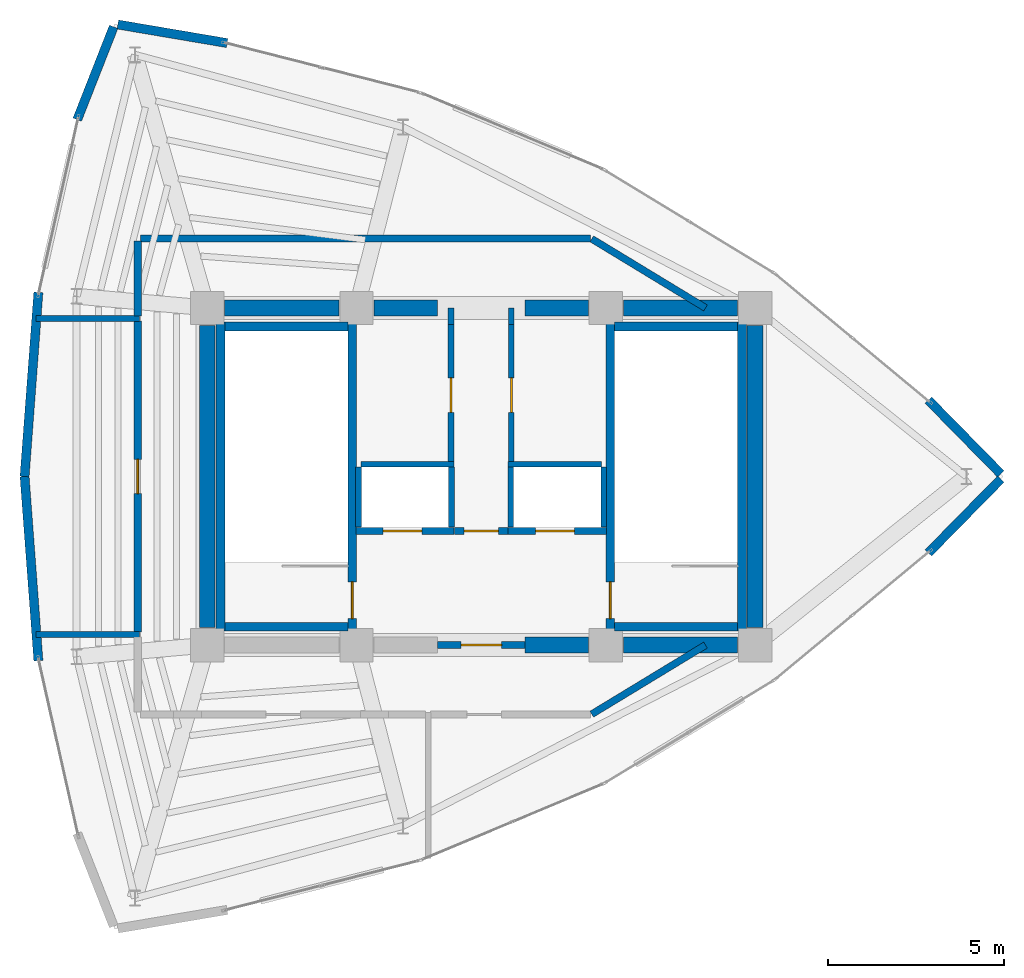
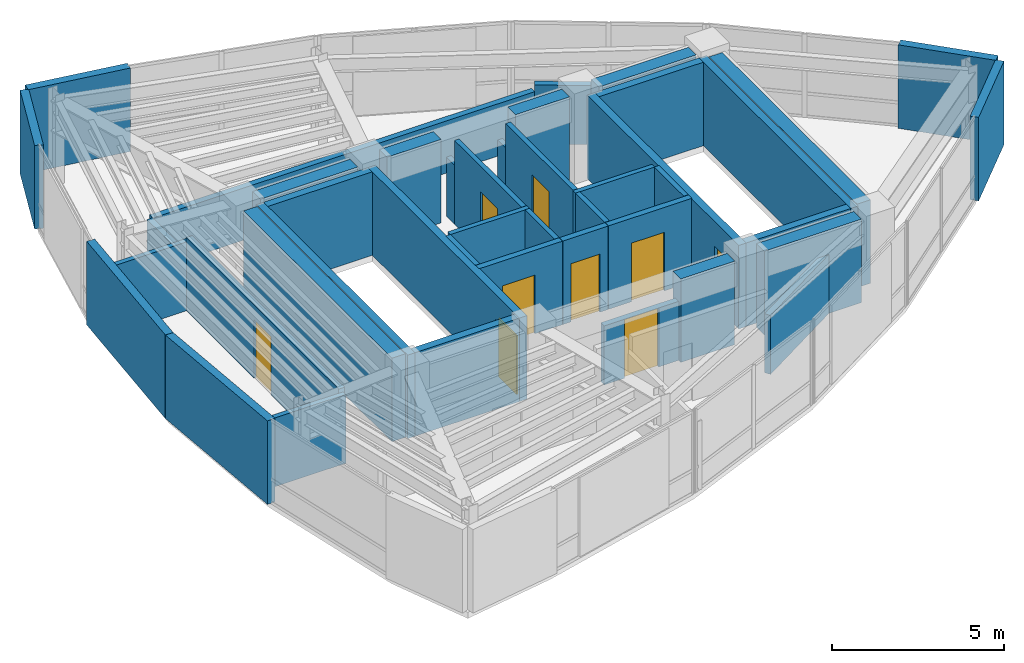
# One storey, part 12 of 13: 43 walls, 9 doors, 9 openings.
"""IFC4 building model written with IfcOpenShell, lengths in metres."""

from ifc_helpers import new_model, si_unit, direction, frame, frame_2d, origin, place, context, subcontext, project, spatial, rectangle, extrude, material, layer, layer_set, type_object, element, fill, save


model = new_model("IFC4")

# Units and contexts
model_context = context("Model", 3, precision=1e-05, world=origin(), true_north=direction((0.0, 1.0)))
body_context = subcontext(model_context, "Body", "Model", "MODEL_VIEW")
ifc_project = project(units=[si_unit("LENGTHUNIT", "METRE"), si_unit("AREAUNIT", "SQUARE_METRE"), si_unit("VOLUMEUNIT", "CUBIC_METRE"), si_unit("PLANEANGLEUNIT", "RADIAN"), si_unit("MASSUNIT", "GRAM", prefix="KILO")], contexts=[model_context])

# Site, building, storey
site_placement = place(None, origin())
site = spatial("IfcSite", under=ifc_project, at=site_placement, CompositionType="ELEMENT")
building_placement = place(site_placement, origin())
building = spatial("IfcBuilding", under=site, at=building_placement, Name="Menara Vayukalpa", CompositionType="ELEMENT")
storey_placement = place(building_placement, frame((0.0, 0.0, 315.219970703125)))
storey = spatial("IfcBuildingStorey", under=building, at=storey_placement, Name="L81", CompositionType="ELEMENT", Elevation=315.219970703125)

# Walls
ifc_material_1 = material(Name="Concrete C50/60", Category="concrete")
ifc_layer_1 = layer(ifc_material_1, 0.449951171875)
ifc_layer_set_1 = layer_set([ifc_layer_1], Name="Concrete C50/60")
wall_type_1 = type_object("IfcWallType", Name="WAL-CW450", PredefinedType="SHEAR", material=ifc_layer_set_1)
wall_1_placement = place(storey_placement, frame((26.85009765625, 17.199951171875, 0.0), z_axis=(0.0, 0.0, 1.0), x_axis=(1.0, 0.0, 0.0)))
element("IfcWall", 1, at=wall_1_placement, inside=storey, type_object=wall_type_1, Name="L81 Buttressed Core Shear Wall CWS3", PredefinedType="SHEAR", context=body_context, shape_type="SweptSolid", body=[
    extrude(rectangle(XDim=1.804931640625, YDim=0.449951171875, at=frame_2d((0.90234375, 0.0))), origin(), (0.0, 0.0, 1.0), 2.9599609375),
])
for number, where, z_axis, x_axis, name in (
    (2, (29.64501953125, 17.199951171875, 0.0), (0.0, 0.0, 1.0), (1.0, 0.0, 0.0), "L81 Buttressed Core Shear Wall CWS4"),
    (3, (18.294921875, 26.800048828125, 0.0), (0.0, 0.0, 1.0), (1.0, 0.0, 0.0), "L81 Buttressed Core Shear Wall CWN1"),
):
    element("IfcWall", number, at=place(storey_placement, frame(where, z_axis=z_axis, x_axis=x_axis)), inside=storey, type_object=wall_type_1, Name=name, PredefinedType="SHEAR", context=body_context, shape_type="SweptSolid", body=[
        extrude(rectangle(XDim=3.260009765625, YDim=0.449951171875, at=frame_2d((1.6298828125, 0.0))), origin(), (0.0, 0.0, 1.0), 2.9599609375),
    ])
wall_2_placement = place(storey_placement, frame((22.544921875, 26.800048828125, 0.0), z_axis=(0.0, 0.0, 1.0), x_axis=(1.0, 0.0, 0.0)))
element("IfcWall", 4, at=wall_2_placement, inside=storey, type_object=wall_type_1, Name="L81 Buttressed Core Shear Wall CWN2", PredefinedType="SHEAR", context=body_context, shape_type="SweptSolid", body=[
    extrude(rectangle(XDim=1.80517578125, YDim=0.449951171875, at=frame_2d((0.902587890625, 0.0))), origin(), (0.0, 0.0, 1.0), 2.9599609375),
])
wall_3_placement = place(storey_placement, frame((26.85009765625, 26.800048828125, 0.0), z_axis=(0.0, 0.0, 1.0), x_axis=(1.0, 0.0, 0.0)))
element("IfcWall", 5, at=wall_3_placement, inside=storey, type_object=wall_type_1, Name="L81 Buttressed Core Shear Wall CWN3", PredefinedType="SHEAR", context=body_context, shape_type="SweptSolid", body=[
    extrude(rectangle(XDim=1.804931640625, YDim=0.449951171875, at=frame_2d((0.90234375, 0.0))), origin(), (0.0, 0.0, 1.0), 2.9599609375),
])
wall_4_placement = place(storey_placement, frame((29.64501953125, 26.800048828125, 0.0), z_axis=(0.0, 0.0, 1.0), x_axis=(1.0, 0.0, 0.0)))
element("IfcWall", 6, at=wall_4_placement, inside=storey, type_object=wall_type_1, Name="L81 Buttressed Core Shear Wall CWN4", PredefinedType="SHEAR", context=body_context, shape_type="SweptSolid", body=[
    extrude(rectangle(XDim=3.260009765625, YDim=0.449951171875, at=frame_2d((1.6298828125, 0.0))), origin(), (0.0, 0.0, 1.0), 2.9599609375),
])
for number, where, z_axis, x_axis, name in (
    (7, (17.800048828125, 17.695068359375, 0.0), (0.0, 0.0, 1.0), (0.0, 1.0, 0.0), "L81 Buttressed Core Shear Wall CWW1"),
    (8, (33.39990234375, 17.695068359375, 0.0), (0.0, 0.0, 1.0), (0.0, 1.0, 0.0), "L81 Buttressed Core Shear Wall CWE1"),
):
    element("IfcWall", number, at=place(storey_placement, frame(where, z_axis=z_axis, x_axis=x_axis)), inside=storey, type_object=wall_type_1, Name=name, PredefinedType="SHEAR", context=body_context, shape_type="SweptSolid", body=[
        extrude(rectangle(XDim=8.60986328125, YDim=0.449951171875, at=frame_2d((4.304931640625, 0.0))), origin(), (0.0, 0.0, 1.0), 2.9599609375),
    ])
ifc_material_2 = material(Name="Insulated Precast Concrete C40/50", Category="concrete")
ifc_layer_2 = layer(ifc_material_2, 0.260009765625)
ifc_layer_set_2 = layer_set([ifc_layer_2], Name="Insulated Precast Concrete C40/50")
wall_type_2 = type_object("IfcWallType", Name="WAL-EXT260", PredefinedType="PARTITIONING", material=ifc_layer_set_2)
for number, where, z_axis, x_axis, name in (
    (9, (40.394287109375, 21.923828125, 0.0), (0.0, 0.0, 1.0), (-0.700603142499, -0.713551145133, 0.0), "L81 Perimeter Terracotta Pier Wall 01"),
    (10, (38.33349609375, 24.175048828125, 0.0), (0.0, 0.0, 1.0), (0.700603142499, -0.713551145133, 0.0), "L81 Perimeter Terracotta Pier Wall 02"),
):
    element("IfcWall", number, at=place(storey_placement, frame(where, z_axis=z_axis, x_axis=x_axis)), inside=storey, type_object=wall_type_2, Name=name, PredefinedType="PARTITIONING", context=body_context, shape_type="SweptSolid", body=[
        extrude(rectangle(XDim=2.94140625, YDim=0.260009765625, at=frame_2d((1.470703125, 0.0))), origin(), (0.0, 0.0, 1.0), 2.9599609375),
    ])
wall_5_placement = place(storey_placement, frame((15.251708984375, 34.87158203125, 0.0), z_axis=(0.0, 0.0, 1.0), x_axis=(0.985905089134, -0.167305574383, 0.0)))
element("IfcWall", 11, at=wall_5_placement, inside=storey, type_object=wall_type_2, Name="L81 Perimeter Terracotta Pier Wall 07", PredefinedType="PARTITIONING", context=body_context, shape_type="SweptSolid", body=[
    extrude(rectangle(XDim=3.1591796875, YDim=0.260009765625, at=frame_2d((1.57958984375, 0.0))), origin(), (0.0, 0.0, 1.0), 2.9599609375),
])
wall_6_placement = place(storey_placement, frame((14.09619140625, 32.1630859375, 0.0), z_axis=(0.0, 0.0, 1.0), x_axis=(0.365495346637, 0.930813166853, 0.0)))
element("IfcWall", 12, at=wall_6_placement, inside=storey, type_object=wall_type_2, Name="L81 Perimeter Terracotta Pier Wall 08", PredefinedType="PARTITIONING", context=body_context, shape_type="SweptSolid", body=[
    extrude(rectangle(XDim=2.838134765625, YDim=0.260009765625, at=frame_2d((1.4189453125, 0.0))), origin(), (0.0, 0.0, 1.0), 2.9599609375),
])
for number, where, z_axis, x_axis, name in (
    (13, (12.596435546875, 22.0, 0.0), (0.0, 0.0, 1.0), (0.074768012725, 0.99720095481, 0.0), "L81 Perimeter Terracotta Pier Wall 10"),
    (14, (12.989501953125, 16.757568359375, 0.0), (0.0, 0.0, 1.0), (-0.074768012725, 0.99720095481, 0.0), "L81 Perimeter Terracotta Pier Wall 11"),
):
    element("IfcWall", number, at=place(storey_placement, frame(where, z_axis=z_axis, x_axis=x_axis)), inside=storey, type_object=wall_type_2, Name=name, PredefinedType="PARTITIONING", context=body_context, shape_type="SweptSolid", body=[
        extrude(rectangle(XDim=5.257080078125, YDim=0.260009765625, at=frame_2d((2.62841796875, 0.0))), origin(), (0.0, 0.0, 1.0), 2.9599609375),
    ])
ifc_material_3 = material(Name="Lightweight Concrete Blockwork C16/20", Category="masonry")
ifc_layer_3 = layer(ifc_material_3, 0.159912109375)
ifc_layer_set_3 = layer_set([ifc_layer_3], Name="Lightweight Concrete Blockwork C16/20")
wall_type_3 = type_object("IfcWallType", Name="WAL-FR150", PredefinedType="PARTITIONING", material=ifc_layer_set_3)
for number, where, z_axis, x_axis, name in (
    (15, (22.10498046875, 20.56005859375, 0.0), (0.0, 0.0, 1.0), (0.0, 1.0, 0.0), "L81 Interior Partition IW-L81-SHW-WW"),
    (16, (24.7548828125, 20.56005859375, 0.0), (0.0, 0.0, 1.0), (0.0, 1.0, 0.0), "L81 Interior Partition IW-L81-SHW-W1E"),
):
    element("IfcWall", number, at=place(storey_placement, frame(where, z_axis=z_axis, x_axis=x_axis)), inside=storey, type_object=wall_type_3, Name=name, PredefinedType="PARTITIONING", context=body_context, shape_type="SweptSolid", body=[
        extrude(rectangle(XDim=1.7099609375, YDim=0.159912109375, at=frame_2d((0.85498046875, 0.0))), origin(), (0.0, 0.0, 1.0), 2.9599609375),
    ])
wall_7_placement = place(storey_placement, frame((22.179931640625, 22.344970703125, 0.0), z_axis=(0.0, 0.0, 1.0), x_axis=(1.0, 0.0, 0.0)))
element("IfcWall", 17, at=wall_7_placement, inside=storey, type_object=wall_type_3, Name="L81 Interior Partition IW-L81-SHM-W12", PredefinedType="PARTITIONING", context=body_context, shape_type="SweptSolid", body=[
    extrude(rectangle(XDim=2.650146484375, YDim=0.159912109375, at=frame_2d((1.3251953125, 0.0))), origin(), (0.0, 0.0, 1.0), 2.9599609375),
])
for number, where, z_axis, x_axis, name in (
    (18, (29.094970703125, 20.56005859375, 0.0), (0.0, 0.0, 1.0), (0.0, 1.0, 0.0), "L81 Interior Partition IW-L81-SHW-EE"),
    (19, (26.445068359375, 20.56005859375, 0.0), (0.0, 0.0, 1.0), (0.0, 1.0, 0.0), "L81 Interior Partition IW-L81-SHW-E1W"),
):
    element("IfcWall", number, at=place(storey_placement, frame(where, z_axis=z_axis, x_axis=x_axis)), inside=storey, type_object=wall_type_3, Name=name, PredefinedType="PARTITIONING", context=body_context, shape_type="SweptSolid", body=[
        extrude(rectangle(XDim=1.7099609375, YDim=0.159912109375, at=frame_2d((0.85498046875, 0.0))), origin(), (0.0, 0.0, 1.0), 2.9599609375),
    ])
wall_8_placement = place(storey_placement, frame((26.3701171875, 22.344970703125, 0.0), z_axis=(0.0, 0.0, 1.0), x_axis=(1.0, 0.0, 0.0)))
element("IfcWall", 20, at=wall_8_placement, inside=storey, type_object=wall_type_3, Name="L81 Interior Partition IW-L81-SHM-E13", PredefinedType="PARTITIONING", context=body_context, shape_type="SweptSolid", body=[
    extrude(rectangle(XDim=2.64990234375, YDim=0.159912109375, at=frame_2d((1.324951171875, 0.0))), origin(), (0.0, 0.0, 1.0), 2.9599609375),
])
wall_9_placement = place(storey_placement, frame((24.739990234375, 26.3349609375, 0.0), z_axis=(0.0, 0.0, 1.0), x_axis=(0.0, 1.0, 0.0)))
element("IfcWall", 21, at=wall_9_placement, inside=storey, type_object=wall_type_3, Name="L81 Interior Partition IW-L81-CPL1 Beam Collar 1", PredefinedType="PARTITIONING", context=body_context, shape_type="SweptSolid", body=[
    extrude(rectangle(XDim=0.465087890625, YDim=0.159912109375, at=frame_2d((0.232421875, 0.0))), origin(), (0.0, 0.0, 1.0), 2.090087890625),
])

# Wall, opening, door
wall_10_placement = place(storey_placement, frame((24.739990234375, 22.429931640625, 0.0), z_axis=(0.0, 0.0, 1.0), x_axis=(0.0, 1.0, 0.0)))
wall_10 = element("IfcWall", 22, at=wall_10_placement, inside=storey, type_object=wall_type_3, Name="L81 Interior Partition IW-L81-CPL1", PredefinedType="PARTITIONING", context=body_context, shape_type="SweptSolid", body=[
    extrude(rectangle(XDim=3.905029296875, YDim=0.159912109375, at=frame_2d((1.95263671875, 0.0))), origin(), (0.0, 0.0, 1.0), 2.9599609375),
])
opening_1_placement = place(wall_10_placement, frame((1.39990234375, 0.0, 0.0)))
opening_1 = element("IfcOpeningElement", 23, at=opening_1_placement, cuts=wall_10, Name="Opening ID3", PredefinedType="OPENING", context=body_context, shape_type="SweptSolid", body=[
    extrude(rectangle(XDim=0.97998046875, YDim=2.06005859375, at=frame_2d((0.489990234375, 1.030029296875))), frame((0.0, 0.08984375, 0.0), z_axis=(0.0, -1.0, 0.0), x_axis=(1.0, 0.0, 0.0)), (0.0, 0.0, 1.0), 0.179931640625),
])
ifc_material_4 = material(Name="Fire-Rated Powder-Coated Steel Door", Category="steel")
door_type_1 = type_object("IfcDoorType", Name="DR-FD60", OperationType="NOTDEFINED", PredefinedType="DOOR", material=ifc_material_4)
door_1_placement = place(opening_1_placement, origin())
door_1 = element("IfcDoor", 24, at=door_1_placement, inside=storey, type_object=door_type_1, Name="L81 Interior Door DR-L81-CPL1", OperationType="SINGLE_SWING_LEFT", OverallHeight=2.06005859375, OverallWidth=0.97998046875, PredefinedType="DOOR", context=body_context, shape_type="SweptSolid", body=[
    extrude(rectangle(XDim=0.97998046875, YDim=2.06005859375, at=frame_2d((0.489990234375, 1.030029296875))), frame((0.0, 0.02490234375, 0.0), z_axis=(0.0, -1.0, 0.0), x_axis=(1.0, 0.0, 0.0)), (0.0, 0.0, 1.0), 0.050048828125),
])
fill(opening_1, door_1)

# Wall
wall_11_placement = place(storey_placement, frame((26.4599609375, 26.3349609375, 0.0), z_axis=(0.0, 0.0, 1.0), x_axis=(0.0, 1.0, 0.0)))
element("IfcWall", 25, at=wall_11_placement, inside=storey, type_object=wall_type_3, Name="L81 Interior Partition IW-L81-CPL2 Beam Collar 1", PredefinedType="PARTITIONING", context=body_context, shape_type="SweptSolid", body=[
    extrude(rectangle(XDim=0.465087890625, YDim=0.159912109375, at=frame_2d((0.232421875, 0.0))), origin(), (0.0, 0.0, 1.0), 2.090087890625),
])

# Wall, opening, door
wall_12_placement = place(storey_placement, frame((26.4599609375, 22.429931640625, 0.0), z_axis=(0.0, 0.0, 1.0), x_axis=(0.0, 1.0, 0.0)))
wall_12 = element("IfcWall", 26, at=wall_12_placement, inside=storey, type_object=wall_type_3, Name="L81 Interior Partition IW-L81-CPL2", PredefinedType="PARTITIONING", context=body_context, shape_type="SweptSolid", body=[
    extrude(rectangle(XDim=3.905029296875, YDim=0.159912109375, at=frame_2d((1.95263671875, 0.0))), origin(), (0.0, 0.0, 1.0), 2.9599609375),
])
opening_2_placement = place(wall_12_placement, frame((1.39990234375, 0.0, 0.0)))
opening_2 = element("IfcOpeningElement", 27, at=opening_2_placement, cuts=wall_12, Name="Opening ID3", PredefinedType="OPENING", context=body_context, shape_type="SweptSolid", body=[
    extrude(rectangle(XDim=0.97998046875, YDim=2.06005859375, at=frame_2d((0.489990234375, 1.030029296875))), frame((0.0, 0.08984375, 0.0), z_axis=(0.0, -1.0, 0.0), x_axis=(1.0, 0.0, 0.0)), (0.0, 0.0, 1.0), 0.179931640625),
])
door_2_placement = place(opening_2_placement, origin())
door_2 = element("IfcDoor", 28, at=door_2_placement, inside=storey, type_object=door_type_1, Name="L81 Interior Door DR-L81-CPL2", OperationType="SINGLE_SWING_RIGHT", OverallHeight=2.06005859375, OverallWidth=0.97998046875, PredefinedType="DOOR", context=body_context, shape_type="SweptSolid", body=[
    extrude(rectangle(XDim=0.97998046875, YDim=2.06005859375, at=frame_2d((0.489990234375, 1.030029296875))), frame((0.0, 0.02490234375, 0.0), z_axis=(0.0, -1.0, 0.0), x_axis=(1.0, 0.0, 0.0)), (0.0, 0.0, 1.0), 0.050048828125),
])
fill(opening_2, door_2)

# Walls
for number, where, z_axis, x_axis, name in (
    (29, (12.923828125, 17.5, 0.0), (0.0, 0.0, 1.0), (1.0, 0.0, 0.0), "L81 Interior Partition IW-L81-RDIV01"),
    (30, (12.923828125, 26.5, 0.0), (0.0, 0.0, 1.0), (1.0, 0.0, 0.0), "L81 Interior Partition IW-L81-RDIV02"),
):
    element("IfcWall", number, at=place(storey_placement, frame(where, z_axis=z_axis, x_axis=x_axis)), inside=storey, type_object=wall_type_3, Name=name, PredefinedType="PARTITIONING", context=body_context, shape_type="SweptSolid", body=[
        extrude(rectangle(XDim=2.9462890625, YDim=0.159912109375, at=frame_2d((1.47314453125, 0.0))), origin(), (0.0, 0.0, 1.0), 2.43994140625),
    ])

# Wall, opening, door
ifc_material_5 = material(Name="Lightweight Concrete Blockwork C16/20", Category="masonry")
ifc_layer_4 = layer(ifc_material_5, 0.199951171875)
ifc_layer_set_4 = layer_set([ifc_layer_4], Name="Lightweight Concrete Blockwork C16/20")
wall_type_4 = type_object("IfcWallType", Name="WAL-FR200", PredefinedType="PARTITIONING", material=ifc_layer_set_4)
wall_13_placement = place(storey_placement, frame((24.35009765625, 17.199951171875, 0.0), z_axis=(0.0, 0.0, 1.0), x_axis=(1.0, 0.0, 0.0)))
wall_13 = element("IfcWall", 31, at=wall_13_placement, inside=storey, type_object=wall_type_4, Name="L81 Interior Partition IW-L81-FFLS", PredefinedType="PARTITIONING", context=body_context, shape_type="SweptSolid", body=[
    extrude(rectangle(XDim=2.5, YDim=0.199951171875, at=frame_2d((1.25, 0.0))), origin(), (0.0, 0.0, 1.0), 2.090087890625),
])
opening_3_placement = place(wall_13_placement, frame((0.679931640625, 0.0, 0.0)))
opening_3 = element("IfcOpeningElement", 32, at=opening_3_placement, cuts=wall_13, Name="Opening ID2", PredefinedType="OPENING", context=body_context, shape_type="SweptSolid", body=[
    extrude(rectangle(XDim=1.14990234375, YDim=2.080078125, at=frame_2d((0.574951171875, 1.0400390625))), frame((0.0, 0.10986328125, 0.0), z_axis=(0.0, -1.0, 0.0), x_axis=(1.0, 0.0, 0.0)), (0.0, 0.0, 1.0), 0.219970703125),
])
ifc_material_6 = material(Name="Fire-Rated Powder-Coated Steel Door", Category="steel")
door_type_2 = type_object("IfcDoorType", Name="DR-FD60W", OperationType="NOTDEFINED", PredefinedType="DOOR", material=ifc_material_6)
door_3_placement = place(opening_3_placement, origin())
door_3 = element("IfcDoor", 33, at=door_3_placement, inside=storey, type_object=door_type_2, Name="L81 Interior Door DR-L81-FFLS", OperationType="SINGLE_SWING_LEFT", OverallHeight=2.080078125, OverallWidth=1.14990234375, PredefinedType="DOOR", context=body_context, shape_type="SweptSolid", body=[
    extrude(rectangle(XDim=1.14990234375, YDim=2.080078125, at=frame_2d((0.574951171875, 1.0400390625))), frame((0.0, 0.02490234375, 0.0), z_axis=(0.0, -1.0, 0.0), x_axis=(1.0, 0.0, 0.0)), (0.0, 0.0, 1.0), 0.050048828125),
])
fill(opening_3, door_3)

wall_14_placement = place(storey_placement, frame((24.840087890625, 20.449951171875, 0.0), z_axis=(0.0, 0.0, 1.0), x_axis=(1.0, 0.0, 0.0)))
wall_14 = element("IfcWall", 34, at=wall_14_placement, inside=storey, type_object=wall_type_4, Name="L81 Interior Partition IW-L81-FFLN", PredefinedType="PARTITIONING", context=body_context, shape_type="SweptSolid", body=[
    extrude(rectangle(XDim=1.52001953125, YDim=0.199951171875, at=frame_2d((0.760009765625, 0.0))), origin(), (0.0, 0.0, 1.0), 2.9599609375),
])
opening_4_placement = place(wall_14_placement, frame((0.27001953125, 0.0, 0.0)))
opening_4 = element("IfcOpeningElement", 35, at=opening_4_placement, cuts=wall_14, Name="Opening ID3", PredefinedType="OPENING", context=body_context, shape_type="SweptSolid", body=[
    extrude(rectangle(XDim=0.97998046875, YDim=2.06005859375, at=frame_2d((0.489990234375, 1.030029296875))), frame((0.0, 0.10986328125, 0.0), z_axis=(0.0, -1.0, 0.0), x_axis=(1.0, 0.0, 0.0)), (0.0, 0.0, 1.0), 0.219970703125),
])
door_4_placement = place(opening_4_placement, origin())
door_4 = element("IfcDoor", 36, at=door_4_placement, inside=storey, type_object=door_type_1, Name="L81 Interior Door DR-L81-FFLN", OperationType="SINGLE_SWING_RIGHT", OverallHeight=2.06005859375, OverallWidth=0.97998046875, PredefinedType="DOOR", context=body_context, shape_type="SweptSolid", body=[
    extrude(rectangle(XDim=0.97998046875, YDim=2.06005859375, at=frame_2d((0.489990234375, 1.030029296875))), frame((0.0, 0.02490234375, 0.0), z_axis=(0.0, -1.0, 0.0), x_axis=(1.0, 0.0, 0.0)), (0.0, 0.0, 1.0), 0.050048828125),
])
fill(opening_4, door_4)

wall_15_placement = place(storey_placement, frame((22.030029296875, 20.449951171875, 0.0), z_axis=(0.0, 0.0, 1.0), x_axis=(1.0, 0.0, 0.0)))
wall_15 = element("IfcWall", 37, at=wall_15_placement, inside=storey, type_object=wall_type_4, Name="L81 Interior Partition IW-L81-SH-W1", PredefinedType="PARTITIONING", context=body_context, shape_type="SweptSolid", body=[
    extrude(rectangle(XDim=2.800048828125, YDim=0.199951171875, at=frame_2d((1.39990234375, 0.0))), origin(), (0.0, 0.0, 1.0), 2.9599609375),
])
opening_5_placement = place(wall_15_placement, frame((0.780029296875, 0.0, 0.0)))
opening_5 = element("IfcOpeningElement", 38, at=opening_5_placement, cuts=wall_15, Name="Opening LD1", PredefinedType="OPENING", context=body_context, shape_type="SweptSolid", body=[
    extrude(rectangle(XDim=1.10009765625, YDim=2.080078125, at=frame_2d((0.550048828125, 1.0400390625))), frame((0.0, 0.10986328125, 0.0), z_axis=(0.0, -1.0, 0.0), x_axis=(1.0, 0.0, 0.0)), (0.0, 0.0, 1.0), 0.219970703125),
])
ifc_material_7 = material(Name="Brushed Stainless Steel 316 Lift Door", Category="steel")
door_type_3 = type_object("IfcDoorType", Name="DR-LD110", OperationType="NOTDEFINED", PredefinedType="DOOR", material=ifc_material_7)
door_5_placement = place(opening_5_placement, origin())
door_5 = element("IfcDoor", 39, at=door_5_placement, inside=storey, type_object=door_type_3, Name="L81 Interior Door DR-L81-LD-W1", OperationType="DOUBLE_DOOR_SLIDING", OverallHeight=2.080078125, OverallWidth=1.10009765625, PredefinedType="DOOR", context=body_context, shape_type="SweptSolid", body=[
    extrude(rectangle(XDim=1.10009765625, YDim=2.080078125, at=frame_2d((0.550048828125, 1.0400390625))), frame((0.0, 0.02490234375, 0.0), z_axis=(0.0, -1.0, 0.0), x_axis=(1.0, 0.0, 0.0)), (0.0, 0.0, 1.0), 0.050048828125),
])
fill(opening_5, door_5)

wall_16_placement = place(storey_placement, frame((26.3701171875, 20.449951171875, 0.0), z_axis=(0.0, 0.0, 1.0), x_axis=(1.0, 0.0, 0.0)))
wall_16 = element("IfcWall", 40, at=wall_16_placement, inside=storey, type_object=wall_type_4, Name="L81 Interior Partition IW-L81-SH-E1", PredefinedType="PARTITIONING", context=body_context, shape_type="SweptSolid", body=[
    extrude(rectangle(XDim=2.7998046875, YDim=0.199951171875, at=frame_2d((1.39990234375, 0.0))), origin(), (0.0, 0.0, 1.0), 2.9599609375),
])
opening_6_placement = place(wall_16_placement, frame((0.780029296875, 0.0, 0.0)))
opening_6 = element("IfcOpeningElement", 41, at=opening_6_placement, cuts=wall_16, Name="Opening LD1", PredefinedType="OPENING", context=body_context, shape_type="SweptSolid", body=[
    extrude(rectangle(XDim=1.10009765625, YDim=2.080078125, at=frame_2d((0.550048828125, 1.0400390625))), frame((0.0, 0.10986328125, 0.0), z_axis=(0.0, -1.0, 0.0), x_axis=(1.0, 0.0, 0.0)), (0.0, 0.0, 1.0), 0.219970703125),
])
door_6_placement = place(opening_6_placement, origin())
door_6 = element("IfcDoor", 42, at=door_6_placement, inside=storey, type_object=door_type_3, Name="L81 Interior Door DR-L81-LD-E1", OperationType="DOUBLE_DOOR_SLIDING", OverallHeight=2.080078125, OverallWidth=1.10009765625, PredefinedType="DOOR", context=body_context, shape_type="SweptSolid", body=[
    extrude(rectangle(XDim=1.10009765625, YDim=2.080078125, at=frame_2d((0.550048828125, 1.0400390625))), frame((0.0, 0.02490234375, 0.0), z_axis=(0.0, -1.0, 0.0), x_axis=(1.0, 0.0, 0.0)), (0.0, 0.0, 1.0), 0.050048828125),
])
fill(opening_6, door_6)

# Walls
for number, where, z_axis, x_axis, name in (
    (43, (28.747314453125, 15.231689453125, 0.0), (0.0, 0.0, 1.0), (0.854690580489, 0.519137757847, 0.0), "L81 Interior Partition IW-L81-CRM02-2"),
    (44, (31.98779296875, 26.800048828125, 0.0), (0.0, 0.0, 1.0), (-0.854690580489, 0.519137757847, 0.0), "L81 Interior Partition IW-L81-CRM02-3"),
):
    element("IfcWall", number, at=place(storey_placement, frame(where, z_axis=z_axis, x_axis=x_axis)), inside=storey, type_object=wall_type_4, Name=name, PredefinedType="PARTITIONING", context=body_context, shape_type="SweptSolid", body=[
        extrude(rectangle(XDim=3.79150390625, YDim=0.199951171875, at=frame_2d((1.895751953125, 0.0))), origin(), (0.0, 0.0, 1.0), 2.090087890625),
    ])
wall_17_placement = place(storey_placement, frame((28.705810546875, 28.780029296875, 0.0), z_axis=(0.0, 0.0, 1.0), x_axis=(-1.0, 0.0, 0.0)))
element("IfcWall", 45, at=wall_17_placement, inside=storey, type_object=wall_type_4, Name="L81 Interior Partition IW-L81-CRM02-4", PredefinedType="PARTITIONING", context=body_context, shape_type="SweptSolid", body=[
    extrude(rectangle(XDim=12.805908203125, YDim=0.199951171875, at=frame_2d((6.40283203125, 0.0))), origin(), (0.0, 0.0, 1.0), 1.85009765625),
])
wall_18_placement = place(storey_placement, frame((15.820068359375, 28.699951171875, 0.0), z_axis=(0.0, 0.0, 1.0), x_axis=(0.0, -1.0, 0.0)))
element("IfcWall", 46, at=wall_18_placement, inside=storey, type_object=wall_type_4, Name="L81 Interior Partition IW-L81-CRM02-5", PredefinedType="PARTITIONING", context=body_context, shape_type="SweptSolid", body=[
    extrude(rectangle(XDim=2.1298828125, YDim=0.199951171875, at=frame_2d((1.06494140625, 0.0))), origin(), (0.0, 0.0, 1.0), 1.85009765625),
])

# Wall, opening, door
wall_19_placement = place(storey_placement, frame((15.820068359375, 26.429931640625, 0.0), z_axis=(0.0, 0.0, 1.0), x_axis=(0.0, -1.0, 0.0)))
wall_19 = element("IfcWall", 47, at=wall_19_placement, inside=storey, type_object=wall_type_4, Name="L81 Interior Partition IW-L81-CRM03-1", PredefinedType="PARTITIONING", context=body_context, shape_type="SweptSolid", body=[
    extrude(rectangle(XDim=8.85986328125, YDim=0.199951171875, at=frame_2d((4.429931640625, 0.0))), origin(), (0.0, 0.0, 1.0), 2.590087890625),
])
opening_7_placement = place(wall_19_placement, frame((3.93994140625, 0.0, 0.0)))
opening_7 = element("IfcOpeningElement", 48, at=opening_7_placement, cuts=wall_19, Name="Opening ID3", PredefinedType="OPENING", context=body_context, shape_type="SweptSolid", body=[
    extrude(rectangle(XDim=0.97998046875, YDim=2.06005859375, at=frame_2d((0.489990234375, 1.030029296875))), frame((0.0, 0.10986328125, 0.0), z_axis=(0.0, -1.0, 0.0), x_axis=(1.0, 0.0, 0.0)), (0.0, 0.0, 1.0), 0.219970703125),
])
door_7_placement = place(opening_7_placement, origin())
door_7 = element("IfcDoor", 49, at=door_7_placement, inside=storey, type_object=door_type_1, Name="L81 Interior Door DR-L81-RM03", OperationType="SINGLE_SWING_LEFT", OverallHeight=2.06005859375, OverallWidth=0.97998046875, PredefinedType="DOOR", context=body_context, shape_type="SweptSolid", body=[
    extrude(rectangle(XDim=0.97998046875, YDim=2.06005859375, at=frame_2d((0.489990234375, 1.030029296875))), frame((0.0, 0.02490234375, 0.0), z_axis=(0.0, -1.0, 0.0), x_axis=(1.0, 0.0, 0.0)), (0.0, 0.0, 1.0), 0.050048828125),
])
fill(opening_7, door_7)

# Wall
ifc_material_8 = material(Name="Concrete C50/60", Category="concrete")
ifc_layer_5 = layer(ifc_material_8, 0.25)
ifc_layer_set_5 = layer_set([ifc_layer_5], Name="Concrete C50/60")
wall_type_5 = type_object("IfcWallType", Name="WAL-SW250", PredefinedType="SHEAR", material=ifc_layer_set_5)
wall_20_placement = place(storey_placement, frame((18.175048828125, 17.60009765625, 0.0), z_axis=(0.0, 0.0, 1.0), x_axis=(0.0, 1.0, 0.0)))
element("IfcWall", 50, at=wall_20_placement, inside=storey, type_object=wall_type_5, Name="L81 ST1 Structural Stair Shaft Wall W", PredefinedType="SHEAR", context=body_context, shape_type="SweptSolid", body=[
    extrude(rectangle(XDim=8.7998046875, YDim=0.25, at=frame_2d((4.39990234375, 0.0))), origin(), (0.0, 0.0, 1.0), 2.9599609375),
])

# Wall, opening, door
wall_21_placement = place(storey_placement, frame((21.925048828125, 17.60009765625, 0.0), z_axis=(0.0, 0.0, 1.0), x_axis=(0.0, 1.0, 0.0)))
wall_21 = element("IfcWall", 51, at=wall_21_placement, inside=storey, type_object=wall_type_5, Name="L81 ST1 Structural Stair Shaft Wall E", PredefinedType="SHEAR", context=body_context, shape_type="SweptSolid", body=[
    extrude(rectangle(XDim=8.7998046875, YDim=0.25, at=frame_2d((4.39990234375, 0.0))), origin(), (0.0, 0.0, 1.0), 2.9599609375),
])
opening_8_placement = place(wall_21_placement, frame((0.35009765625, 0.0, 0.0)))
opening_8 = element("IfcOpeningElement", 52, at=opening_8_placement, cuts=wall_21, Name="Opening ID1", PredefinedType="OPENING", context=body_context, shape_type="SweptSolid", body=[
    extrude(rectangle(XDim=1.050048828125, YDim=2.080078125, at=frame_2d((0.52490234375, 1.0400390625))), frame((0.0, 0.135009765625, 0.0), z_axis=(0.0, -1.0, 0.0), x_axis=(1.0, 0.0, 0.0)), (0.0, 0.0, 1.0), 0.27001953125),
])
ifc_material_9 = material(Name="Fire-Rated Powder-Coated Steel Door", Category="steel")
door_type_4 = type_object("IfcDoorType", Name="DR-FD120", OperationType="NOTDEFINED", PredefinedType="DOOR", material=ifc_material_9)
door_8_placement = place(opening_8_placement, origin())
door_8 = element("IfcDoor", 53, at=door_8_placement, inside=storey, type_object=door_type_4, Name="L81 Stair Exit Door DR-L81-ST1", OperationType="SINGLE_SWING_LEFT", OverallHeight=2.080078125, OverallWidth=1.050048828125, PredefinedType="DOOR", context=body_context, shape_type="SweptSolid", body=[
    extrude(rectangle(XDim=1.050048828125, YDim=2.080078125, at=frame_2d((0.52490234375, 1.0400390625))), frame((0.0, 0.02490234375, 0.0), z_axis=(0.0, -1.0, 0.0), x_axis=(1.0, 0.0, 0.0)), (0.0, 0.0, 1.0), 0.050048828125),
])
fill(opening_8, door_8)

# Walls
for number, where, z_axis, x_axis, name in (
    (54, (18.300048828125, 17.72509765625, 0.0), (0.0, 0.0, 1.0), (1.0, 0.0, 0.0), "L81 ST1 Structural Stair Shaft Wall S"),
    (55, (18.300048828125, 26.27490234375, 0.0), (0.0, 0.0, 1.0), (1.0, 0.0, 0.0), "L81 ST1 Structural Stair Shaft Wall N"),
):
    element("IfcWall", number, at=place(storey_placement, frame(where, z_axis=z_axis, x_axis=x_axis)), inside=storey, type_object=wall_type_5, Name=name, PredefinedType="SHEAR", context=body_context, shape_type="SweptSolid", body=[
        extrude(rectangle(XDim=3.5, YDim=0.25, at=frame_2d((1.75, 0.0))), origin(), (0.0, 0.0, 1.0), 2.9599609375),
    ])

# Wall, opening, door
wall_22_placement = place(storey_placement, frame((29.27490234375, 17.60009765625, 0.0), z_axis=(0.0, 0.0, 1.0), x_axis=(0.0, 1.0, 0.0)))
wall_22 = element("IfcWall", 56, at=wall_22_placement, inside=storey, type_object=wall_type_5, Name="L81 ST2 Structural Stair Shaft Wall W", PredefinedType="SHEAR", context=body_context, shape_type="SweptSolid", body=[
    extrude(rectangle(XDim=8.7998046875, YDim=0.25, at=frame_2d((4.39990234375, 0.0))), origin(), (0.0, 0.0, 1.0), 2.9599609375),
])
opening_9_placement = place(wall_22_placement, frame((0.35009765625, 0.0, 0.0)))
opening_9 = element("IfcOpeningElement", 57, at=opening_9_placement, cuts=wall_22, Name="Opening ID1", PredefinedType="OPENING", context=body_context, shape_type="SweptSolid", body=[
    extrude(rectangle(XDim=1.050048828125, YDim=2.080078125, at=frame_2d((0.52490234375, 1.0400390625))), frame((0.0, 0.135009765625, 0.0), z_axis=(0.0, -1.0, 0.0), x_axis=(1.0, 0.0, 0.0)), (0.0, 0.0, 1.0), 0.27001953125),
])
door_9_placement = place(opening_9_placement, origin())
door_9 = element("IfcDoor", 58, at=door_9_placement, inside=storey, type_object=door_type_4, Name="L81 Stair Exit Door DR-L81-ST2", OperationType="SINGLE_SWING_RIGHT", OverallHeight=2.080078125, OverallWidth=1.050048828125, PredefinedType="DOOR", context=body_context, shape_type="SweptSolid", body=[
    extrude(rectangle(XDim=1.050048828125, YDim=2.080078125, at=frame_2d((0.52490234375, 1.0400390625))), frame((0.0, 0.02490234375, 0.0), z_axis=(0.0, -1.0, 0.0), x_axis=(1.0, 0.0, 0.0)), (0.0, 0.0, 1.0), 0.050048828125),
])
fill(opening_9, door_9)

# Walls
wall_23_placement = place(storey_placement, frame((33.02490234375, 17.60009765625, 0.0), z_axis=(0.0, 0.0, 1.0), x_axis=(0.0, 1.0, 0.0)))
element("IfcWall", 59, at=wall_23_placement, inside=storey, type_object=wall_type_5, Name="L81 ST2 Structural Stair Shaft Wall E", PredefinedType="SHEAR", context=body_context, shape_type="SweptSolid", body=[
    extrude(rectangle(XDim=8.7998046875, YDim=0.25, at=frame_2d((4.39990234375, 0.0))), origin(), (0.0, 0.0, 1.0), 2.9599609375),
])
for number, where, z_axis, x_axis, name in (
    (60, (29.39990234375, 17.72509765625, 0.0), (0.0, 0.0, 1.0), (1.0, 0.0, 0.0), "L81 ST2 Structural Stair Shaft Wall S"),
    (61, (29.39990234375, 26.27490234375, 0.0), (0.0, 0.0, 1.0), (1.0, 0.0, 0.0), "L81 ST2 Structural Stair Shaft Wall N"),
):
    element("IfcWall", number, at=place(storey_placement, frame(where, z_axis=z_axis, x_axis=x_axis)), inside=storey, type_object=wall_type_5, Name=name, PredefinedType="SHEAR", context=body_context, shape_type="SweptSolid", body=[
        extrude(rectangle(XDim=3.5, YDim=0.25, at=frame_2d((1.75, 0.0))), origin(), (0.0, 0.0, 1.0), 2.9599609375),
    ])

save(model, "model.ifc")
